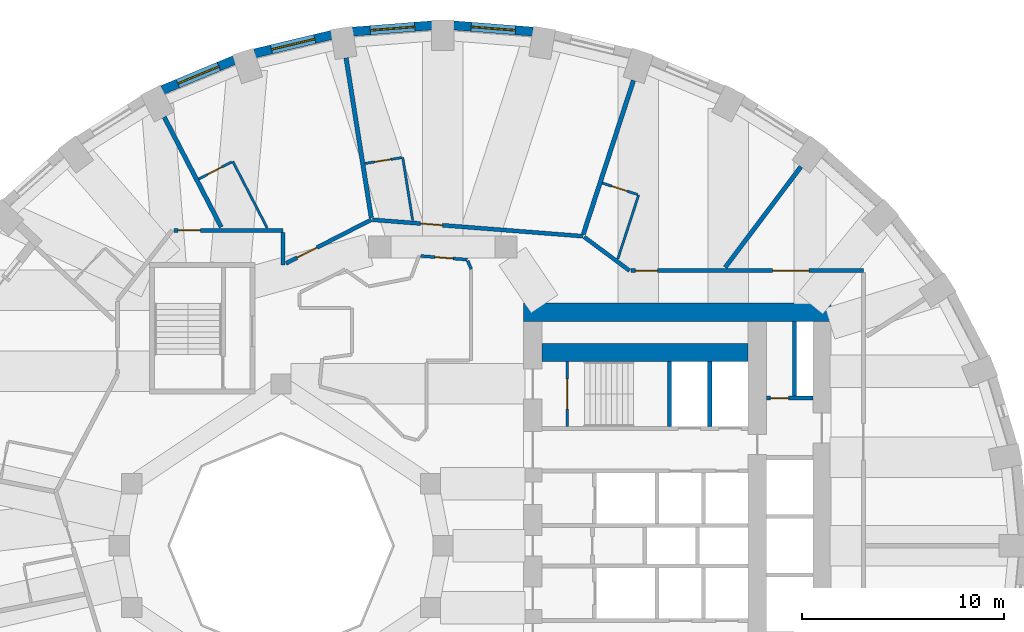
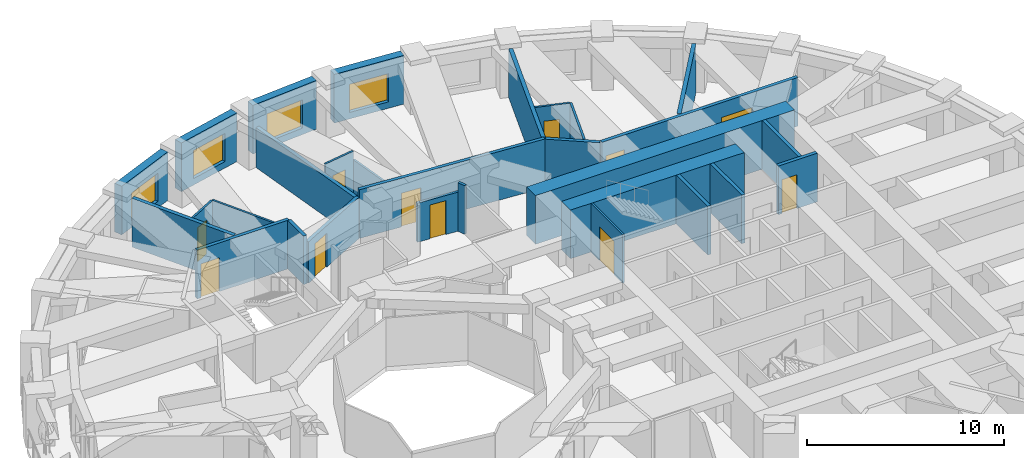
# One storey, part 8 of 13: 29 walls, 11 doors, 4 windows, 15 openings.
"""IFC4 building model written with IfcOpenShell, lengths in metres."""

from ifc_helpers import new_model, si_unit, direction, frame, frame_2d, origin, place, context, subcontext, project, spatial, rectangle, extrude, material, layer, layer_set, type_object, element, fill, save


model = new_model("IFC4")

# Units and contexts
model_context = context("Model", 3, precision=1e-05, world=origin(), true_north=direction((0.0, 1.0)))
body_context = subcontext(model_context, "Body", "Model", "MODEL_VIEW")
ifc_project = project(units=[si_unit("LENGTHUNIT", "METRE"), si_unit("AREAUNIT", "SQUARE_METRE"), si_unit("VOLUMEUNIT", "CUBIC_METRE"), si_unit("PLANEANGLEUNIT", "RADIAN"), si_unit("MASSUNIT", "GRAM", prefix="KILO")], contexts=[model_context])

# Site, building, storey
site_placement = place(None, origin())
site = spatial("IfcSite", under=ifc_project, at=site_placement, CompositionType="ELEMENT")
building_placement = place(site_placement, origin())
building = spatial("IfcBuilding", under=site, at=building_placement, Name="Taillehof Tower", CompositionType="ELEMENT")
storey_placement = place(building_placement, frame((0.0, 0.0, 34.89990234375)))
storey = spatial("IfcBuildingStorey", under=building, at=storey_placement, Name="L08", CompositionType="ELEMENT", Elevation=34.89990234375)

# Wall, opening, window
ifc_material_1 = material(Name="Brick masonry", Category="masonry")
ifc_layer_1 = layer(ifc_material_1, 0.449951171875)
ifc_layer_set_1 = layer_set([ifc_layer_1], Name="Brick infill wall 450")
wall_type_1 = type_object("IfcWallType", Name="Brick infill wall 450", PredefinedType="SOLIDWALL", material=ifc_layer_set_1)
wall_1_placement = place(storey_placement, frame((4.457275390625, 25.42578125, 0.0), z_axis=(0.0, 0.0, 1.0), x_axis=(-0.996955972145, 0.077966592873, 0.0)))
wall_1 = element("IfcWall", 1, at=wall_1_placement, inside=storey, type_object=wall_type_1, Name="Brick wall L08 bay 9", PredefinedType="SOLIDWALL", context=body_context, shape_type="SweptSolid", body=[
    extrude(rectangle(XDim=3.939208984375, YDim=0.449951171875, at=frame_2d((1.9697265625, 0.0))), origin(), (0.0, 0.0, 1.0), 3.02001953125),
])
opening_1_placement = place(wall_1_placement, frame((0.86962890625, 0.0, 0.39990234375)))
opening_1 = element("IfcOpeningElement", 2, at=opening_1_placement, cuts=wall_1, Name="Opening W1", PredefinedType="OPENING", context=body_context, shape_type="SweptSolid", body=[
    extrude(rectangle(XDim=2.199951171875, YDim=1.75, at=frame_2d((1.10009765625, 0.875))), frame((0.0, 0.23486328125, 0.0), z_axis=(0.0, -1.0, 0.0), x_axis=(1.0, 0.0, 0.0)), (0.0, 0.0, 1.0), 0.469970703125),
])
ifc_material_2 = material(Name="Aluminium window frame with clear double glazing", Category="aluminium")
window_type = type_object("IfcWindowType", Name="Deep-set window 2200x1750", PartitioningType="SINGLE_PANEL", PredefinedType="WINDOW", material=ifc_material_2)
window_1_placement = place(opening_1_placement, origin())
window_1 = element("IfcWindow", 3, at=window_1_placement, inside=storey, type_object=window_type, Name="W1", OverallHeight=1.75, OverallWidth=2.199951171875, PartitioningType="SINGLE_PANEL", PredefinedType="WINDOW", context=body_context, shape_type="SweptSolid", body=[
    extrude(rectangle(XDim=2.199951171875, YDim=1.75, at=frame_2d((1.10009765625, 0.875))), frame((0.0, 0.034912109375, 0.0), z_axis=(0.0, -1.0, 0.0), x_axis=(1.0, 0.0, 0.0)), (0.0, 0.0, 1.0), 0.06005859375),
])
fill(opening_1, window_1)

wall_2_placement = place(storey_placement, frame((-0.530029296875, 25.73291015625, 0.0), z_axis=(0.0, 0.0, 1.0), x_axis=(-0.996955972145, -0.077966592873, 0.0)))
wall_2 = element("IfcWall", 4, at=wall_2_placement, inside=storey, type_object=wall_type_1, Name="Brick wall L08 bay 10", PredefinedType="SOLIDWALL", context=body_context, shape_type="SweptSolid", body=[
    extrude(rectangle(XDim=3.939208984375, YDim=0.449951171875, at=frame_2d((1.9697265625, 0.0))), origin(), (0.0, 0.0, 1.0), 3.02001953125),
])
opening_2_placement = place(wall_2_placement, frame((0.86962890625, 0.0, 0.39990234375)))
opening_2 = element("IfcOpeningElement", 5, at=opening_2_placement, cuts=wall_2, Name="Opening W1", PredefinedType="OPENING", context=body_context, shape_type="SweptSolid", body=[
    extrude(rectangle(XDim=2.199951171875, YDim=1.75, at=frame_2d((1.10009765625, 0.875))), frame((0.0, 0.23486328125, 0.0), z_axis=(0.0, -1.0, 0.0), x_axis=(1.0, 0.0, 0.0)), (0.0, 0.0, 1.0), 0.469970703125),
])
window_2_placement = place(opening_2_placement, origin())
window_2 = element("IfcWindow", 6, at=window_2_placement, inside=storey, type_object=window_type, Name="W1", OverallHeight=1.75, OverallWidth=2.199951171875, PartitioningType="SINGLE_PANEL", PredefinedType="WINDOW", context=body_context, shape_type="SweptSolid", body=[
    extrude(rectangle(XDim=2.199951171875, YDim=1.75, at=frame_2d((1.10009765625, 0.875))), frame((0.0, 0.034912109375, 0.0), z_axis=(0.0, -1.0, 0.0), x_axis=(1.0, 0.0, 0.0)), (0.0, 0.0, 1.0), 0.06005859375),
])
fill(opening_2, window_2)

wall_3_placement = place(storey_placement, frame((-5.50439453125, 25.260498046875, 0.0), z_axis=(0.0, 0.0, 1.0), x_axis=(-0.972496561493, -0.232917233979, 0.0)))
wall_3 = element("IfcWall", 7, at=wall_3_placement, inside=storey, type_object=wall_type_1, Name="Brick wall L08 bay 11", PredefinedType="SOLIDWALL", context=body_context, shape_type="SweptSolid", body=[
    extrude(rectangle(XDim=3.910888671875, YDim=0.449951171875, at=frame_2d((1.95556640625, 0.0))), origin(), (0.0, 0.0, 1.0), 3.02001953125),
])
opening_3_placement = place(wall_3_placement, frame((0.855224609375, 0.0, 0.39990234375)))
opening_3 = element("IfcOpeningElement", 8, at=opening_3_placement, cuts=wall_3, Name="Opening W1", PredefinedType="OPENING", context=body_context, shape_type="SweptSolid", body=[
    extrude(rectangle(XDim=2.199951171875, YDim=1.75, at=frame_2d((1.10009765625, 0.875))), frame((0.0, 0.23486328125, 0.0), z_axis=(0.0, -1.0, 0.0), x_axis=(1.0, 0.0, 0.0)), (0.0, 0.0, 1.0), 0.469970703125),
])
window_3_placement = place(opening_3_placement, origin())
window_3 = element("IfcWindow", 9, at=window_3_placement, inside=storey, type_object=window_type, Name="W1", OverallHeight=1.75, OverallWidth=2.199951171875, PartitioningType="SINGLE_PANEL", PredefinedType="WINDOW", context=body_context, shape_type="SweptSolid", body=[
    extrude(rectangle(XDim=2.199951171875, YDim=1.75, at=frame_2d((1.10009765625, 0.875))), frame((0.0, 0.034912109375, 0.0), z_axis=(0.0, -1.0, 0.0), x_axis=(1.0, 0.0, 0.0)), (0.0, 0.0, 1.0), 0.06005859375),
])
fill(opening_3, window_3)

wall_4_placement = place(storey_placement, frame((-10.3154296875, 24.02099609375, 0.0), z_axis=(0.0, 0.0, 1.0), x_axis=(-0.923031964282, -0.384723267966, 0.0)))
wall_4 = element("IfcWall", 10, at=wall_4_placement, inside=storey, type_object=wall_type_1, Name="Brick wall L08 bay 12", PredefinedType="SOLIDWALL", context=body_context, shape_type="SweptSolid", body=[
    extrude(rectangle(XDim=3.8564453125, YDim=0.449951171875, at=frame_2d((1.92822265625, 0.0))), origin(), (0.0, 0.0, 1.0), 3.02001953125),
])
opening_4_placement = place(wall_4_placement, frame((0.828125, 0.0, 0.39990234375)))
opening_4 = element("IfcOpeningElement", 11, at=opening_4_placement, cuts=wall_4, Name="Opening W1", PredefinedType="OPENING", context=body_context, shape_type="SweptSolid", body=[
    extrude(rectangle(XDim=2.199951171875, YDim=1.75, at=frame_2d((1.10009765625, 0.875))), frame((0.0, 0.23486328125, 0.0), z_axis=(0.0, -1.0, 0.0), x_axis=(1.0, 0.0, 0.0)), (0.0, 0.0, 1.0), 0.469970703125),
])
window_4_placement = place(opening_4_placement, origin())
window_4 = element("IfcWindow", 12, at=window_4_placement, inside=storey, type_object=window_type, Name="W1", OverallHeight=1.75, OverallWidth=2.199951171875, PartitioningType="SINGLE_PANEL", PredefinedType="WINDOW", context=body_context, shape_type="SweptSolid", body=[
    extrude(rectangle(XDim=2.199951171875, YDim=1.75, at=frame_2d((1.10009765625, 0.875))), frame((0.0, 0.034912109375, 0.0), z_axis=(0.0, -1.0, 0.0), x_axis=(1.0, 0.0, 0.0)), (0.0, 0.0, 1.0), 0.06005859375),
])
fill(opening_4, window_4)

# Wall, opening, door
ifc_material_3 = material(Name="Calcium silicate masonry", Category="masonry")
ifc_layer_2 = layer(ifc_material_3, 0.199951171875)
ifc_layer_set_2 = layer_set([ifc_layer_2], Name="Compartment wall calcium silicate 200")
wall_type_2 = type_object("IfcWallType", Name="Compartment wall calcium silicate 200", PredefinedType="PARTITIONING", material=ifc_layer_set_2)
wall_5_placement = place(storey_placement, frame((16.0, 7.300048828125, 0.0), z_axis=(0.0, 0.0, 1.0), x_axis=(1.0, 0.0, 0.0)))
wall_5 = element("IfcWall", 13, at=wall_5_placement, inside=storey, type_object=wall_type_2, Name="Compartment wall FW", PredefinedType="PARTITIONING", context=body_context, shape_type="SweptSolid", body=[
    extrude(rectangle(XDim=2.300048828125, YDim=0.199951171875, at=frame_2d((1.14990234375, 0.0))), origin(), (0.0, 0.0, 1.0), 3.02001953125),
])
opening_5_placement = place(wall_5_placement, frame((0.199951171875, 0.0, 0.0)))
opening_5 = element("IfcOpeningElement", 14, at=opening_5_placement, cuts=wall_5, Name="Opening D0816", PredefinedType="OPENING", context=body_context, shape_type="SweptSolid", body=[
    extrude(rectangle(XDim=0.89990234375, YDim=2.10009765625, at=frame_2d((0.449951171875, 1.050048828125))), frame((0.0, 0.10986328125, 0.0), z_axis=(0.0, -1.0, 0.0), x_axis=(1.0, 0.0, 0.0)), (0.0, 0.0, 1.0), 0.219970703125),
])
ifc_material_4 = material(Name="Steel-faced fire door", Category="steel")
door_type_1 = type_object("IfcDoorType", Name="Riser and service room door 900x2100", OperationType="SINGLE_SWING_LEFT", PredefinedType="DOOR", material=ifc_material_4)
door_1_placement = place(opening_5_placement, origin())
door_1 = element("IfcDoor", 15, at=door_1_placement, inside=storey, type_object=door_type_1, Name="Door Housekeeping Store", OperationType="SINGLE_SWING_RIGHT", OverallHeight=2.10009765625, OverallWidth=0.89990234375, PredefinedType="DOOR", context=body_context, shape_type="SweptSolid", body=[
    extrude(rectangle(XDim=0.89990234375, YDim=2.10009765625, at=frame_2d((0.449951171875, 1.050048828125))), frame((0.0, 0.02490234375, 0.0), z_axis=(0.0, -1.0, 0.0), x_axis=(1.0, 0.0, 0.0)), (0.0, 0.0, 1.0), 0.050048828125),
])
fill(opening_5, door_1)

# Wall
wall_6_placement = place(storey_placement, frame((17.39990234375, 7.39990234375, 0.0), z_axis=(0.0, 0.0, 1.0), x_axis=(0.0, 1.0, 0.0)))
element("IfcWall", 16, at=wall_6_placement, inside=storey, type_object=wall_type_2, Name="Compartment wall FW", PredefinedType="PARTITIONING", context=body_context, shape_type="SweptSolid", body=[
    extrude(rectangle(XDim=3.7001953125, YDim=0.199951171875, at=frame_2d((1.85009765625, 0.0))), origin(), (0.0, 0.0, 1.0), 3.02001953125),
])

# Wall, opening, door
ifc_material_5 = material(Name="Gypsum board on steel studs, two layers each side", Category="steel")
ifc_layer_3 = layer(ifc_material_5, 0.199951171875)
ifc_layer_set_3 = layer_set([ifc_layer_3], Name="Compartment wall corridor 200")
wall_type_3 = type_object("IfcWallType", Name="Compartment wall corridor 200", PredefinedType="PARTITIONING", material=ifc_layer_set_3)
wall_7_placement = place(storey_placement, frame((-13.30908203125, 15.60009765625, 0.0), z_axis=(0.0, 0.0, 1.0), x_axis=(1.0, 0.0, 0.0)))
wall_7 = element("IfcWall", 17, at=wall_7_placement, inside=storey, type_object=wall_type_3, Name="Compartment wall", PredefinedType="PARTITIONING", context=body_context, shape_type="SweptSolid", body=[
    extrude(rectangle(XDim=5.4091796875, YDim=0.199951171875, at=frame_2d((2.70458984375, 0.0))), origin(), (0.0, 0.0, 1.0), 3.02001953125),
])
opening_6_placement = place(wall_7_placement, frame((0.219970703125, 0.0, 0.0)))
opening_6 = element("IfcOpeningElement", 18, at=opening_6_placement, cuts=wall_7, Name="Opening D0846", PredefinedType="OPENING", context=body_context, shape_type="SweptSolid", body=[
    extrude(rectangle(XDim=1.10009765625, YDim=2.10009765625, at=frame_2d((0.550048828125, 1.050048828125))), frame((0.0, 0.10986328125, 0.0), z_axis=(0.0, -1.0, 0.0), x_axis=(1.0, 0.0, 0.0)), (0.0, 0.0, 1.0), 0.219970703125),
])
ifc_material_6 = material(Name="Timber door leaf in steel frame", Category="steel")
door_type_2 = type_object("IfcDoorType", Name="Accessible guest room door EI 30 1100 x 2100", OperationType="SINGLE_SWING_LEFT", PredefinedType="DOOR", material=ifc_material_6)
door_2_placement = place(opening_6_placement, origin())
door_2 = element("IfcDoor", 19, at=door_2_placement, inside=storey, type_object=door_type_2, Name="D0846", OperationType="SINGLE_SWING_RIGHT", OverallHeight=2.10009765625, OverallWidth=1.10009765625, PredefinedType="DOOR", context=body_context, shape_type="SweptSolid", body=[
    extrude(rectangle(XDim=1.10009765625, YDim=2.10009765625, at=frame_2d((0.550048828125, 1.050048828125))), frame((0.0, 0.02490234375, 0.0), z_axis=(0.0, -1.0, 0.0), x_axis=(1.0, 0.0, 0.0)), (0.0, 0.0, 1.0), 0.050048828125),
])
fill(opening_6, door_2)

# Wall
wall_8_placement = place(storey_placement, frame((-7.89990234375, 15.5, 0.0), z_axis=(0.0, 0.0, 1.0), x_axis=(0.0, -1.0, 0.0)))
element("IfcWall", 20, at=wall_8_placement, inside=storey, type_object=wall_type_3, Name="Compartment wall", PredefinedType="PARTITIONING", context=body_context, shape_type="SweptSolid", body=[
    extrude(rectangle(XDim=1.609619140625, YDim=0.199951171875, at=frame_2d((0.8046875, 0.0))), origin(), (0.0, 0.0, 1.0), 3.02001953125),
])

# Wall, opening, door
wall_9_placement = place(storey_placement, frame((-7.75732421875, 13.962646484375, 0.0), z_axis=(0.0, 0.0, 1.0), x_axis=(0.89017531408, 0.455618162722, 0.0)))
wall_9 = element("IfcWall", 21, at=wall_9_placement, inside=storey, type_object=wall_type_3, Name="Compartment wall", PredefinedType="PARTITIONING", context=body_context, shape_type="SweptSolid", body=[
    extrude(rectangle(XDim=4.7412109375, YDim=0.199951171875, at=frame_2d((2.37060546875, 0.0))), origin(), (0.0, 0.0, 1.0), 2.570068359375),
])
opening_7_placement = place(wall_9_placement, frame((0.6201171875, 0.0, 0.0)))
opening_7 = element("IfcOpeningElement", 22, at=opening_7_placement, cuts=wall_9, Name="Opening D0844", PredefinedType="OPENING", context=body_context, shape_type="SweptSolid", body=[
    extrude(rectangle(XDim=1.10009765625, YDim=2.10009765625, at=frame_2d((0.550048828125, 1.050048828125))), frame((0.0, 0.10986328125, 0.0), z_axis=(0.0, -1.0, 0.0), x_axis=(1.0, 0.0, 0.0)), (0.0, 0.0, 1.0), 0.219970703125),
])
ifc_material_7 = material(Name="Timber door leaf in steel frame", Category="steel")
door_type_3 = type_object("IfcDoorType", Name="Suite entrance door EI 30 1100 x 2100", OperationType="SINGLE_SWING_LEFT", PredefinedType="DOOR", material=ifc_material_7)
door_3_placement = place(opening_7_placement, origin())
door_3 = element("IfcDoor", 23, at=door_3_placement, inside=storey, type_object=door_type_3, Name="D0844", OperationType="SINGLE_SWING_LEFT", OverallHeight=2.10009765625, OverallWidth=1.10009765625, PredefinedType="DOOR", context=body_context, shape_type="SweptSolid", body=[
    extrude(rectangle(XDim=1.10009765625, YDim=2.10009765625, at=frame_2d((0.550048828125, 1.050048828125))), frame((0.0, 0.02490234375, 0.0), z_axis=(0.0, -1.0, 0.0), x_axis=(1.0, 0.0, 0.0)), (0.0, 0.0, 1.0), 0.050048828125),
])
fill(opening_7, door_3)

wall_10_placement = place(storey_placement, frame((-3.476806640625, 16.118408203125, 0.0), z_axis=(0.0, 0.0, 1.0), x_axis=(0.996970328684, -0.077782798383, 0.0)))
wall_10 = element("IfcWall", 24, at=wall_10_placement, inside=storey, type_object=wall_type_3, Name="Compartment wall", PredefinedType="PARTITIONING", context=body_context, shape_type="SweptSolid", body=[
    extrude(rectangle(XDim=10.448974609375, YDim=0.199951171875, at=frame_2d((5.224609375, 0.0))), origin(), (0.0, 0.0, 1.0), 3.02001953125),
])
opening_8_placement = place(wall_10_placement, frame((2.372314453125, 0.0, 0.0)))
opening_8 = element("IfcOpeningElement", 25, at=opening_8_placement, cuts=wall_10, Name="Opening D0842", PredefinedType="OPENING", context=body_context, shape_type="SweptSolid", body=[
    extrude(rectangle(XDim=1.10009765625, YDim=2.10009765625, at=frame_2d((0.550048828125, 1.050048828125))), frame((0.0, 0.10986328125, 0.0), z_axis=(0.0, -1.0, 0.0), x_axis=(1.0, 0.0, 0.0)), (0.0, 0.0, 1.0), 0.219970703125),
])
door_4_placement = place(opening_8_placement, origin())
door_4 = element("IfcDoor", 26, at=door_4_placement, inside=storey, type_object=door_type_3, Name="D0842", OperationType="SINGLE_SWING_LEFT", OverallHeight=2.10009765625, OverallWidth=1.10009765625, PredefinedType="DOOR", context=body_context, shape_type="SweptSolid", body=[
    extrude(rectangle(XDim=1.10009765625, YDim=2.10009765625, at=frame_2d((0.550048828125, 1.050048828125))), frame((0.0, 0.02490234375, 0.0), z_axis=(0.0, -1.0, 0.0), x_axis=(1.0, 0.0, 0.0)), (0.0, 0.0, 1.0), 0.050048828125),
])
fill(opening_8, door_4)

# Wall
wall_11_placement = place(storey_placement, frame((6.98876953125, 15.269775390625, 0.0), z_axis=(0.0, 0.0, 1.0), x_axis=(0.8028261118, -0.596213245586, 0.0)))
element("IfcWall", 27, at=wall_11_placement, inside=storey, type_object=wall_type_3, Name="Compartment wall", PredefinedType="PARTITIONING", context=body_context, shape_type="SweptSolid", body=[
    extrude(rectangle(XDim=2.800537109375, YDim=0.199951171875, at=frame_2d((1.400390625, 0.0))), origin(), (0.0, 0.0, 1.0), 3.02001953125),
])

# Wall, openings, doors
wall_12_placement = place(storey_placement, frame((9.297119140625, 13.60009765625, 0.0), z_axis=(0.0, 0.0, 1.0), x_axis=(1.0, 0.0, 0.0)))
wall_12 = element("IfcWall", 28, at=wall_12_placement, inside=storey, type_object=wall_type_3, Name="Compartment wall", PredefinedType="PARTITIONING", context=body_context, shape_type="SweptSolid", body=[
    extrude(rectangle(XDim=11.5029296875, YDim=0.199951171875, at=frame_2d((5.75146484375, 0.0))), origin(), (0.0, 0.0, 1.0), 3.02001953125),
])
opening_9_placement = place(wall_12_placement, frame((0.219970703125, 0.0, 0.0)))
opening_9 = element("IfcOpeningElement", 29, at=opening_9_placement, cuts=wall_12, Name="Opening D0840", PredefinedType="OPENING", context=body_context, shape_type="SweptSolid", body=[
    extrude(rectangle(XDim=1.10009765625, YDim=2.10009765625, at=frame_2d((0.550048828125, 1.050048828125))), frame((0.0, 0.10986328125, 0.0), z_axis=(0.0, -1.0, 0.0), x_axis=(1.0, 0.0, 0.0)), (0.0, 0.0, 1.0), 0.219970703125),
])
opening_10_placement = place(wall_12_placement, frame((7.012939453125, 0.0, 0.0)))
opening_10 = element("IfcOpeningElement", 30, at=opening_10_placement, cuts=wall_12, Name="Opening D0865", PredefinedType="OPENING", context=body_context, shape_type="SweptSolid", body=[
    extrude(rectangle(XDim=1.800048828125, YDim=2.10009765625, at=frame_2d((0.89990234375, 1.050048828125))), frame((0.0, 0.10986328125, 0.0), z_axis=(0.0, -1.0, 0.0), x_axis=(1.0, 0.0, 0.0)), (0.0, 0.0, 1.0), 0.219970703125),
])
ifc_material_8 = material(Name="Timber door leaf in steel frame", Category="steel")
door_type_4 = type_object("IfcDoorType", Name="Lounge and meeting room double door EI 30 1800 x 2100", OperationType="SINGLE_SWING_LEFT", PredefinedType="DOOR", material=ifc_material_8)
door_5_placement = place(opening_10_placement, origin())
door_5 = element("IfcDoor", 31, at=door_5_placement, inside=storey, type_object=door_type_4, Name="D0865", OperationType="DOUBLE_DOOR_SINGLE_SWING", OverallHeight=2.10009765625, OverallWidth=1.800048828125, PredefinedType="DOOR", context=body_context, shape_type="SweptSolid", body=[
    extrude(rectangle(XDim=1.800048828125, YDim=2.10009765625, at=frame_2d((0.89990234375, 1.050048828125))), frame((0.0, 0.02490234375, 0.0), z_axis=(0.0, -1.0, 0.0), x_axis=(1.0, 0.0, 0.0)), (0.0, 0.0, 1.0), 0.050048828125),
])
fill(opening_10, door_5)
door_6_placement = place(opening_9_placement, origin())
door_6 = element("IfcDoor", 32, at=door_6_placement, inside=storey, type_object=door_type_3, Name="D0840", OperationType="SINGLE_SWING_LEFT", OverallHeight=2.10009765625, OverallWidth=1.10009765625, PredefinedType="DOOR", context=body_context, shape_type="SweptSolid", body=[
    extrude(rectangle(XDim=1.10009765625, YDim=2.10009765625, at=frame_2d((0.550048828125, 1.050048828125))), frame((0.0, 0.02490234375, 0.0), z_axis=(0.0, -1.0, 0.0), x_axis=(1.0, 0.0, 0.0)), (0.0, 0.0, 1.0), 0.050048828125),
])
fill(opening_9, door_6)

# Walls
ifc_material_9 = material(Name="Gypsum board on double steel studs with mineral wool", Category="steel")
ifc_layer_4 = layer(ifc_material_9, 0.219970703125)
ifc_layer_set_4 = layer_set([ifc_layer_4], Name="Compartment wall guest room 220")
wall_type_4 = type_object("IfcWallType", Name="Compartment wall guest room 220", PredefinedType="PARTITIONING", material=ifc_layer_set_4)
wall_13_placement = place(storey_placement, frame((17.707763671875, 18.7431640625, 0.0), z_axis=(0.0, 0.0, 1.0), x_axis=(-0.601177883261, -0.799115231164, 0.0)))
element("IfcWall", 33, at=wall_13_placement, inside=storey, type_object=wall_type_4, Name="Compartment wall", PredefinedType="PARTITIONING", context=body_context, shape_type="SweptSolid", body=[
    extrude(rectangle(XDim=6.231201171875, YDim=0.219970703125, at=frame_2d((3.11572265625, 0.0))), origin(), (0.0, 0.0, 1.0), 3.02001953125),
])
wall_14_placement = place(storey_placement, frame((9.429443359375, 23.01416015625, 0.0), z_axis=(0.0, 0.0, 1.0), x_axis=(-0.310227384954, -0.950662384669, 0.0)))
element("IfcWall", 34, at=wall_14_placement, inside=storey, type_object=wall_type_4, Name="Compartment wall", PredefinedType="PARTITIONING", context=body_context, shape_type="SweptSolid", body=[
    extrude(rectangle(XDim=8.00341796875, YDim=0.219970703125, at=frame_2d((4.001708984375, 0.0))), origin(), (0.0, 0.0, 1.0), 3.02001953125),
])
wall_15_placement = place(storey_placement, frame((-4.788330078125, 24.12548828125, 0.0), z_axis=(0.0, 0.0, 1.0), x_axis=(0.156108238506, -0.987739954578, 0.0)))
element("IfcWall", 35, at=wall_15_placement, inside=storey, type_object=wall_type_4, Name="Compartment wall", PredefinedType="PARTITIONING", context=body_context, shape_type="SweptSolid", body=[
    extrude(rectangle(XDim=8.004150390625, YDim=0.219970703125, at=frame_2d((4.001953125, 0.0))), origin(), (0.0, 0.0, 1.0), 2.47021484375),
])
wall_16_placement = place(storey_placement, frame((-13.7802734375, 21.201171875, 0.0), z_axis=(0.0, 0.0, 1.0), x_axis=(0.459699000582, -0.888074787878, 0.0)))
element("IfcWall", 36, at=wall_16_placement, inside=storey, type_object=wall_type_4, Name="Compartment wall", PredefinedType="PARTITIONING", context=body_context, shape_type="SweptSolid", body=[
    extrude(rectangle(XDim=6.134033203125, YDim=0.219970703125, at=frame_2d((3.06689453125, 0.0))), origin(), (0.0, 0.0, 1.0), 3.02001953125),
])

# Wall, opening, door
ifc_material_10 = material(Name="Gypsum board on steel studs, two layers each side", Category="steel")
ifc_layer_5 = layer(ifc_material_10, 0.14990234375)
ifc_layer_set_5 = layer_set([ifc_layer_5], Name="Compartment wall service room 150")
wall_type_5 = type_object("IfcWallType", Name="Compartment wall service room 150", PredefinedType="PARTITIONING", material=ifc_layer_set_5)
wall_17_placement = place(storey_placement, frame((-1.095703125, 14.327880859375, 0.0), z_axis=(0.0, 0.0, 1.0), x_axis=(0.996959190057, -0.077925434624, 0.0)))
wall_17 = element("IfcWall", 37, at=wall_17_placement, inside=storey, type_object=wall_type_5, Name="Compartment wall", PredefinedType="PARTITIONING", context=body_context, shape_type="SweptSolid", body=[
    extrude(rectangle(XDim=2.30908203125, YDim=0.14990234375, at=frame_2d((1.154541015625, 0.0))), origin(), (0.0, 0.0, 1.0), 2.420166015625),
])
opening_11_placement = place(wall_17_placement, frame((0.70458984375, 0.0, 0.0)))
opening_11 = element("IfcOpeningElement", 38, at=opening_11_placement, cuts=wall_17, Name="Opening D0866", PredefinedType="OPENING", context=body_context, shape_type="SweptSolid", body=[
    extrude(rectangle(XDim=0.89990234375, YDim=2.10009765625, at=frame_2d((0.449951171875, 1.050048828125))), frame((0.0, 0.0849609375, 0.0), z_axis=(0.0, -1.0, 0.0), x_axis=(1.0, 0.0, 0.0)), (0.0, 0.0, 1.0), 0.169921875),
])
ifc_material_11 = material(Name="Timber door leaf in steel frame", Category="steel")
door_type_5 = type_object("IfcDoorType", Name="Service room door EI 30 900 x 2100", OperationType="SINGLE_SWING_LEFT", PredefinedType="DOOR", material=ifc_material_11)
door_7_placement = place(opening_11_placement, origin())
door_7 = element("IfcDoor", 39, at=door_7_placement, inside=storey, type_object=door_type_5, Name="D0866", OperationType="SINGLE_SWING_LEFT", OverallHeight=2.10009765625, OverallWidth=0.89990234375, PredefinedType="DOOR", context=body_context, shape_type="SweptSolid", body=[
    extrude(rectangle(XDim=0.89990234375, YDim=2.10009765625, at=frame_2d((0.449951171875, 1.050048828125))), frame((0.0, 0.02490234375, 0.0), z_axis=(0.0, -1.0, 0.0), x_axis=(1.0, 0.0, 0.0)), (0.0, 0.0, 1.0), 0.050048828125),
])
fill(opening_11, door_7)

# Walls
wall_18_placement = place(storey_placement, frame((1.22900390625, 14.09228515625, 0.0), z_axis=(0.0, 0.0, 1.0), x_axis=(0.38344820197, -0.923562383603, 0.0)))
element("IfcWall", 40, at=wall_18_placement, inside=storey, type_object=wall_type_5, Name="Compartment wall", PredefinedType="PARTITIONING", context=body_context, shape_type="SweptSolid", body=[
    extrude(rectangle(XDim=0.44580078125, YDim=0.14990234375, at=frame_2d((0.222900390625, 0.0))), origin(), (0.0, 0.0, 1.0), 3.02001953125),
])
ifc_material_12 = material(Name="Concrete C80/95", Category="concrete")
ifc_layer_6 = layer(ifc_material_12, 0.89990234375)
ifc_layer_set_6 = layer_set([ifc_layer_6], Name="Core wall C80/95 900")
wall_type_6 = type_object("IfcWallType", Name="Core wall C80/95 900", PredefinedType="SHEAR", material=ifc_layer_set_6)
wall_19_placement = place(storey_placement, frame((4.0, 11.550048828125, 0.0), z_axis=(0.0, 0.0, 1.0), x_axis=(1.0, 0.0, 0.0)))
element("IfcWall", 41, at=wall_19_placement, inside=storey, type_object=wall_type_6, Name="Core wall CW03", PredefinedType="SHEAR", context=body_context, shape_type="SweptSolid", body=[
    extrude(rectangle(XDim=15.199951171875, YDim=0.89990234375, at=frame_2d((7.60009765625, 0.0))), origin(), (0.0, 0.0, 1.0), 3.02001953125),
])
wall_20_placement = place(storey_placement, frame((4.89990234375, 9.550048828125, 0.0), z_axis=(0.0, 0.0, 1.0), x_axis=(1.0, 0.0, 0.0)))
element("IfcWall", 42, at=wall_20_placement, inside=storey, type_object=wall_type_6, Name="Core wall CW06", PredefinedType="SHEAR", context=body_context, shape_type="SweptSolid", body=[
    extrude(rectangle(XDim=10.2001953125, YDim=0.89990234375, at=frame_2d((5.10009765625, 0.0))), origin(), (0.0, 0.0, 1.0), 3.02001953125),
])
ifc_material_13 = material(Name="Gypsum board on steel studs, moisture resistant", Category="steel")
ifc_layer_7 = layer(ifc_material_13, 0.1201171875)
ifc_layer_set_7 = layer_set([ifc_layer_7], Name="En-suite wall 120")
wall_type_7 = type_object("IfcWallType", Name="En-suite wall 120", PredefinedType="PARTITIONING", material=ifc_layer_set_7)
wall_21_placement = place(storey_placement, frame((8.6513671875, 14.18310546875, 0.0), z_axis=(0.0, 0.0, 1.0), x_axis=(0.310239544913, 0.950658416453, 0.0)))
element("IfcWall", 43, at=wall_21_placement, inside=storey, type_object=wall_type_7, Name="En-suite wall", PredefinedType="PARTITIONING", context=body_context, shape_type="SweptSolid", body=[
    extrude(rectangle(XDim=3.330322265625, YDim=0.1201171875, at=frame_2d((1.6650390625, 0.0))), origin(), (0.0, 0.0, 1.0), 3.02001953125),
])
wall_22_placement = place(storey_placement, frame((-1.492431640625, 16.083251953125, 0.0), z_axis=(0.0, 0.0, 1.0), x_axis=(-0.156073831214, 0.987745391895, 0.0)))
element("IfcWall", 44, at=wall_22_placement, inside=storey, type_object=wall_type_7, Name="En-suite wall", PredefinedType="PARTITIONING", context=body_context, shape_type="SweptSolid", body=[
    extrude(rectangle(XDim=3.155029296875, YDim=0.1201171875, at=frame_2d((1.57763671875, 0.0))), origin(), (0.0, 0.0, 1.0), 2.47021484375),
])
wall_23_placement = place(storey_placement, frame((-8.68994140625, 15.718017578125, 0.0), z_axis=(0.0, 0.0, 1.0), x_axis=(-0.45967225044, 0.888088634189, 0.0)))
element("IfcWall", 45, at=wall_23_placement, inside=storey, type_object=wall_type_7, Name="En-suite wall", PredefinedType="PARTITIONING", context=body_context, shape_type="SweptSolid", body=[
    extrude(rectangle(XDim=3.702392578125, YDim=0.1201171875, at=frame_2d((1.85107421875, 0.0))), origin(), (0.0, 0.0, 1.0), 3.02001953125),
])

# Wall, opening, door
wall_24_placement = place(storey_placement, frame((9.62744140625, 17.36767578125, 0.0), z_axis=(0.0, 0.0, 1.0), x_axis=(-0.950678536911, 0.31017788357, 0.0)))
wall_24 = element("IfcWall", 46, at=wall_24_placement, inside=storey, type_object=wall_type_7, Name="En-suite wall", PredefinedType="PARTITIONING", context=body_context, shape_type="SweptSolid", body=[
    extrude(rectangle(XDim=1.830078125, YDim=0.1201171875, at=frame_2d((0.9150390625, 0.0))), origin(), (0.0, 0.0, 1.0), 3.02001953125),
])
opening_12_placement = place(wall_24_placement, frame((0.5400390625, 0.0, 0.0)))
opening_12 = element("IfcOpeningElement", 47, at=opening_12_placement, cuts=wall_24, Name="Opening D0841", PredefinedType="OPENING", context=body_context, shape_type="SweptSolid", body=[
    extrude(rectangle(XDim=0.800048828125, YDim=2.10009765625, at=frame_2d((0.39990234375, 1.050048828125))), frame((0.0, 0.070068359375, 0.0), z_axis=(0.0, -1.0, 0.0), x_axis=(1.0, 0.0, 0.0)), (0.0, 0.0, 1.0), 0.14013671875),
])
ifc_material_14 = material(Name="Timber door leaf in steel frame", Category="steel")
door_type_6 = type_object("IfcDoorType", Name="En-suite door 800 x 2100", OperationType="SINGLE_SWING_LEFT", PredefinedType="DOOR", material=ifc_material_14)
door_8_placement = place(opening_12_placement, origin())
door_8 = element("IfcDoor", 48, at=door_8_placement, inside=storey, type_object=door_type_6, Name="D0841", OperationType="SINGLE_SWING_LEFT", OverallHeight=2.10009765625, OverallWidth=0.800048828125, PredefinedType="DOOR", context=body_context, shape_type="SweptSolid", body=[
    extrude(rectangle(XDim=0.800048828125, YDim=2.10009765625, at=frame_2d((0.39990234375, 1.050048828125))), frame((0.0, 0.02490234375, 0.0), z_axis=(0.0, -1.0, 0.0), x_axis=(1.0, 0.0, 0.0)), (0.0, 0.0, 1.0), 0.050048828125),
])
fill(opening_12, door_8)

wall_25_placement = place(storey_placement, frame((-2.044189453125, 19.1904296875, 0.0), z_axis=(0.0, 0.0, 1.0), x_axis=(-0.987722911621, -0.15621603586, 0.0)))
wall_25 = element("IfcWall", 49, at=wall_25_placement, inside=storey, type_object=wall_type_7, Name="En-suite wall", PredefinedType="PARTITIONING", context=body_context, shape_type="SweptSolid", body=[
    extrude(rectangle(XDim=1.830078125, YDim=0.1201171875, at=frame_2d((0.9150390625, 0.0))), origin(), (0.0, 0.0, 1.0), 3.02001953125),
])
opening_13_placement = place(wall_25_placement, frame((0.5400390625, 0.0, 0.0)))
opening_13 = element("IfcOpeningElement", 50, at=opening_13_placement, cuts=wall_25, Name="Opening D0843", PredefinedType="OPENING", context=body_context, shape_type="SweptSolid", body=[
    extrude(rectangle(XDim=0.800048828125, YDim=2.10009765625, at=frame_2d((0.39990234375, 1.050048828125))), frame((0.0, 0.070068359375, 0.0), z_axis=(0.0, -1.0, 0.0), x_axis=(1.0, 0.0, 0.0)), (0.0, 0.0, 1.0), 0.14013671875),
])
door_9_placement = place(opening_13_placement, origin())
door_9 = element("IfcDoor", 51, at=door_9_placement, inside=storey, type_object=door_type_6, Name="D0843", OperationType="SINGLE_SWING_LEFT", OverallHeight=2.10009765625, OverallWidth=0.800048828125, PredefinedType="DOOR", context=body_context, shape_type="SweptSolid", body=[
    extrude(rectangle(XDim=0.800048828125, YDim=2.10009765625, at=frame_2d((0.39990234375, 1.050048828125))), frame((0.0, 0.02490234375, 0.0), z_axis=(0.0, -1.0, 0.0), x_axis=(1.0, 0.0, 0.0)), (0.0, 0.0, 1.0), 0.050048828125),
])
fill(opening_13, door_9)

wall_26_placement = place(storey_placement, frame((-10.4453125, 18.978271484375, 0.0), z_axis=(0.0, 0.0, 1.0), x_axis=(-0.888095574179, -0.459658842104, 0.0)))
wall_26 = element("IfcWall", 52, at=wall_26_placement, inside=storey, type_object=wall_type_7, Name="En-suite wall", PredefinedType="PARTITIONING", context=body_context, shape_type="SweptSolid", body=[
    extrude(rectangle(XDim=1.829833984375, YDim=0.1201171875, at=frame_2d((0.9150390625, 0.0))), origin(), (0.0, 0.0, 1.0), 3.02001953125),
])
opening_14_placement = place(wall_26_placement, frame((0.539794921875, 0.0, 0.0)))
opening_14 = element("IfcOpeningElement", 53, at=opening_14_placement, cuts=wall_26, Name="Opening D0845", PredefinedType="OPENING", context=body_context, shape_type="SweptSolid", body=[
    extrude(rectangle(XDim=0.800048828125, YDim=2.10009765625, at=frame_2d((0.39990234375, 1.050048828125))), frame((0.0, 0.070068359375, 0.0), z_axis=(0.0, -1.0, 0.0), x_axis=(1.0, 0.0, 0.0)), (0.0, 0.0, 1.0), 0.14013671875),
])
door_10_placement = place(opening_14_placement, origin())
door_10 = element("IfcDoor", 54, at=door_10_placement, inside=storey, type_object=door_type_6, Name="D0845", OperationType="SINGLE_SWING_LEFT", OverallHeight=2.10009765625, OverallWidth=0.800048828125, PredefinedType="DOOR", context=body_context, shape_type="SweptSolid", body=[
    extrude(rectangle(XDim=0.800048828125, YDim=2.10009765625, at=frame_2d((0.39990234375, 1.050048828125))), frame((0.0, 0.02490234375, 0.0), z_axis=(0.0, -1.0, 0.0), x_axis=(1.0, 0.0, 0.0)), (0.0, 0.0, 1.0), 0.050048828125),
])
fill(opening_14, door_10)

# Walls
ifc_material_15 = material(Name="Concrete C50/60", Category="concrete")
ifc_layer_8 = layer(ifc_material_15, 0.199951171875)
ifc_layer_set_8 = layer_set([ifc_layer_8], Name="Shaft wall C50/60 200")
wall_type_8 = type_object("IfcWallType", Name="Shaft wall C50/60 200", PredefinedType="SHEAR", material=ifc_layer_set_8)
for number, where, z_axis, x_axis, name in (
    (55, (11.199951171875, 5.89990234375, 0.0), (0.0, 0.0, 1.0), (0.0, 1.0, 0.0), "Shaft wall SW"),
    (56, (13.199951171875, 5.89990234375, 0.0), (0.0, 0.0, 1.0), (0.0, 1.0, 0.0), "Shaft wall SW"),
):
    element("IfcWall", number, at=place(storey_placement, frame(where, z_axis=z_axis, x_axis=x_axis)), inside=storey, type_object=wall_type_8, Name=name, PredefinedType="SHEAR", context=body_context, shape_type="SweptSolid", body=[
        extrude(rectangle(XDim=3.2001953125, YDim=0.199951171875, at=frame_2d((1.60009765625, 0.0))), origin(), (0.0, 0.0, 1.0), 3.02001953125),
    ])

# Wall, opening, door
ifc_material_16 = material(Name="Concrete C50/60", Category="concrete")
ifc_layer_9 = layer(ifc_material_16, 0.1201171875)
ifc_layer_set_9 = layer_set([ifc_layer_9], Name="Stair lobby wall C50/60 120")
wall_type_9 = type_object("IfcWallType", Name="Stair lobby wall C50/60 120", PredefinedType="SHEAR", material=ifc_layer_set_9)
wall_27_placement = place(storey_placement, frame((6.159912109375, 5.89990234375, 0.0), z_axis=(0.0, 0.0, 1.0), x_axis=(0.0, 1.0, 0.0)))
wall_27 = element("IfcWall", 57, at=wall_27_placement, inside=storey, type_object=wall_type_9, Name="Compartment wall SW", PredefinedType="SHEAR", context=body_context, shape_type="SweptSolid", body=[
    extrude(rectangle(XDim=3.2001953125, YDim=0.1201171875, at=frame_2d((1.60009765625, 0.0))), origin(), (0.0, 0.0, 1.0), 3.02001953125),
])
opening_15_placement = place(wall_27_placement, frame((0.85009765625, 0.0, 0.0)))
opening_15 = element("IfcOpeningElement", 58, at=opening_15_placement, cuts=wall_27, Name="Opening D0810", PredefinedType="OPENING", context=body_context, shape_type="SweptSolid", body=[
    extrude(rectangle(XDim=1.5, YDim=2.10009765625, at=frame_2d((0.75, 1.050048828125))), frame((0.0, 0.070068359375, 0.0), z_axis=(0.0, -1.0, 0.0), x_axis=(1.0, 0.0, 0.0)), (0.0, 0.0, 1.0), 0.14013671875),
])
ifc_material_17 = material(Name="Steel-faced fire door", Category="steel")
door_type_7 = type_object("IfcDoorType", Name="Stair door 1500x2100", OperationType="DOUBLE_DOOR_SINGLE_SWING", PredefinedType="DOOR", material=ifc_material_17)
door_11_placement = place(opening_15_placement, origin())
door_11 = element("IfcDoor", 59, at=door_11_placement, inside=storey, type_object=door_type_7, Name="Stair lobby door S1", OperationType="DOUBLE_DOOR_SINGLE_SWING", OverallHeight=2.10009765625, OverallWidth=1.5, PredefinedType="DOOR", context=body_context, shape_type="SweptSolid", body=[
    extrude(rectangle(XDim=1.5, YDim=2.10009765625, at=frame_2d((0.75, 1.050048828125))), frame((0.0, 0.02490234375, 0.0), z_axis=(0.0, -1.0, 0.0), x_axis=(1.0, 0.0, 0.0)), (0.0, 0.0, 1.0), 0.050048828125),
])
fill(opening_15, door_11)

save(model, "model.ifc")
